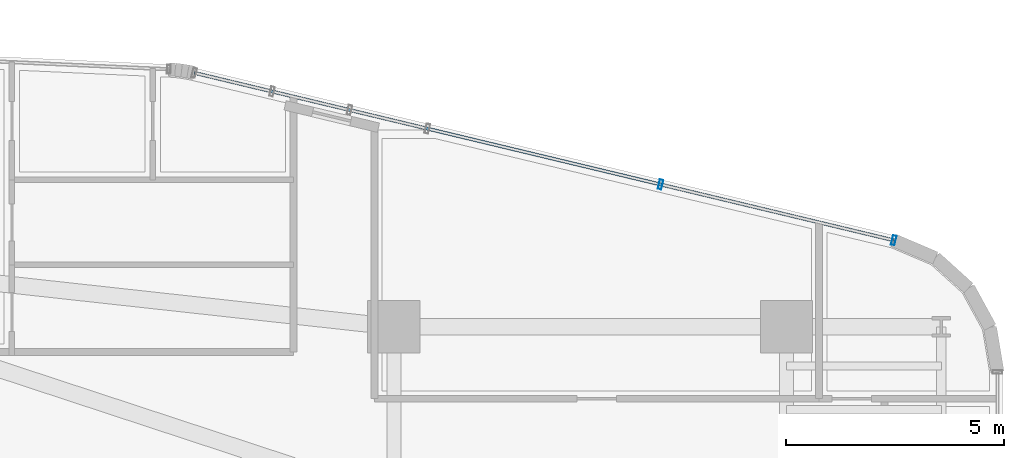
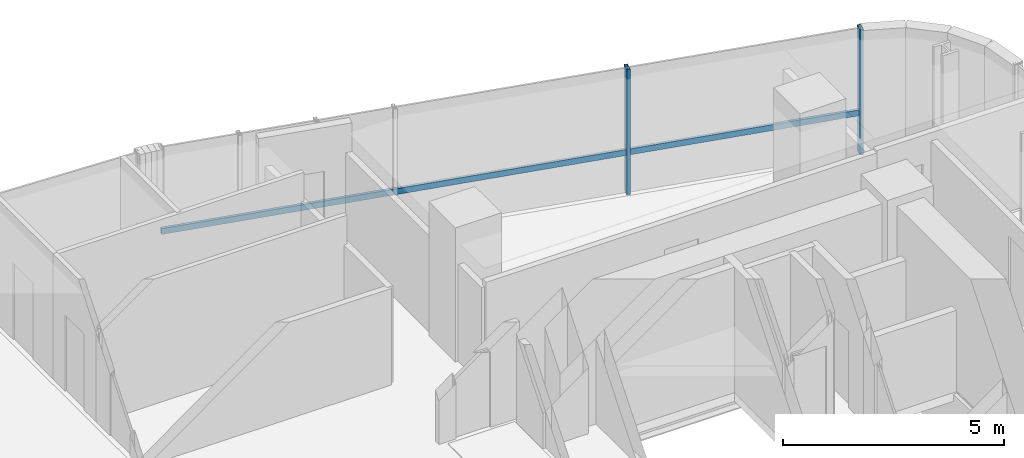
# One storey, part 23 of 36: 3 members, 1 element without a shape of its own.
"""IFC4 building model written with IfcOpenShell, lengths in metres."""

from ifc_helpers import new_model, si_unit, direction, frame, origin, origin_2d, place, context, subcontext, project, spatial, hollow_rectangle, extrude, source, transform, mapped, material, material_profile, profile_set, type_object, element, aggregate, save


model = new_model("IFC4")

# Units and contexts
model_context = context("Model", 3, precision=1e-05, world=origin(), true_north=direction((0.0, 1.0)))
body_context = subcontext(model_context, "Body", "Model", "MODEL_VIEW")
ifc_project = project(units=[si_unit("LENGTHUNIT", "METRE"), si_unit("AREAUNIT", "SQUARE_METRE"), si_unit("VOLUMEUNIT", "CUBIC_METRE"), si_unit("PLANEANGLEUNIT", "RADIAN"), si_unit("MASSUNIT", "GRAM", prefix="KILO")], contexts=[model_context])

# Site, building, storey
site_placement = place(None, origin())
site = spatial("IfcSite", under=ifc_project, at=site_placement, CompositionType="ELEMENT")
building_placement = place(site_placement, origin())
building = spatial("IfcBuilding", under=site, at=building_placement, Name="Valdorenza Pilgrim Sanctuary Tower", CompositionType="ELEMENT")
storey_placement = place(building_placement, frame((0.0, 0.0, 109.39990234375)))
storey = spatial("IfcBuildingStorey", under=building, at=storey_placement, Name="L27", CompositionType="ELEMENT", Elevation=109.39990234375)

# Curtain wall, members
ifc_material_1 = material(Name="Curtain-wall IGU glazing", Category="glass")
curtain_wall_type = type_object("IfcCurtainWallType", Name="CW-SYS-03", PredefinedType="NOTDEFINED", material=ifc_material_1)
curtain_wall_placement = place(storey_placement, origin())
curtain_wall = element("IfcCurtainWall", 1, at=curtain_wall_placement, inside=storey, type_object=curtain_wall_type, Name="L27 Curtain Wall CW-L27-1-16", PredefinedType="NOTDEFINED")
ifc_material_2 = material(Name="Anodised aluminium AW-6060", Category="aluminium")
ifc_material_profile_1 = material_profile(ifc_material_2, hollow_rectangle(XDim=0.0849609375, YDim=0.219970703125, WallThickness=0.0048828125, at=origin_2d()), Name="ALU-M 220x85x5")
ifc_profile_set_1 = profile_set([ifc_material_profile_1], Name="Anodised aluminium AW-6060")
member_type_1 = type_object("IfcMemberType", Name="CW-MUL-03", PredefinedType="MULLION", material=ifc_profile_set_1)
shared_shape_1 = source(origin(), body_context, "Body", "SweptSolid", [
    extrude(hollow_rectangle(XDim=0.0849609375, YDim=0.219970703125, WallThickness=0.0048828125, at=origin_2d()), origin(), (0.0, 0.0, 1.0), 3.460205078125),
])
member_1_placement = place(storey_placement, frame((21.964111328125, 16.7626953125, 0.0), z_axis=(0.0, 0.0, 1.0), x_axis=(0.972528596343, -0.232783438617, 0.0)))
member_1 = element("IfcMember", 2, at=member_1_placement, type_object=member_type_1, Name="CW-L27-1-16 Mullion 3", PredefinedType="MULLION", context=body_context, shape_type="MappedRepresentation", body=[
    mapped(shared_shape_1, transform((0.0, 0.0, 0.0), x_axis=(1.0, 0.0, 0.0), y_axis=(0.0, 1.0, 0.0), z_axis=(0.0, 0.0, 1.0), scale=1.0)),
])
member_2_placement = place(storey_placement, frame((27.310302734375, 15.48291015625, 0.0), z_axis=(0.0, 0.0, 1.0), x_axis=(0.972528596343, -0.232783438617, 0.0)))
member_2 = element("IfcMember", 3, at=member_2_placement, type_object=member_type_1, Name="CW-L27-1-16 Mullion 4", PredefinedType="MULLION", context=body_context, shape_type="MappedRepresentation", body=[
    mapped(shared_shape_1, transform((0.0, 0.0, 0.0), x_axis=(1.0, 0.0, 0.0), y_axis=(0.0, 1.0, 0.0), z_axis=(0.0, 0.0, 1.0), scale=1.0)),
])
ifc_material_profile_2 = material_profile(ifc_material_2, hollow_rectangle(XDim=0.074951171875, YDim=0.159912109375, WallThickness=0.00390625, at=origin_2d()), Name="ALU-T 160x75x4")
ifc_profile_set_2 = profile_set([ifc_material_profile_2], Name="Anodised aluminium AW-6060")
member_type_2 = type_object("IfcMemberType", Name="CW-TRN-03", PredefinedType="USERDEFINED", material=ifc_profile_set_2)
shared_shape_2 = source(origin(), body_context, "Body", "SweptSolid", [
    extrude(hollow_rectangle(XDim=0.074951171875, YDim=0.159912109375, WallThickness=0.00390625, at=origin_2d()), origin(), (0.0, 0.0, 1.0), 16.491943359375),
])
member_3_placement = place(storey_placement, frame((11.271484375, 19.322021484375, 1.1201171875), z_axis=(0.972527548122, -0.232787817859, 0.0), x_axis=(0.232787817859, 0.972527548122, 0.0)))
member_3 = element("IfcMember", 4, at=member_3_placement, type_object=member_type_2, Name="CW-L27-1-16 Transom 1", ObjectType="TRANSOM", PredefinedType="USERDEFINED", context=body_context, shape_type="MappedRepresentation", body=[
    mapped(shared_shape_2, transform((0.0, 0.0, 0.0), x_axis=(1.0, 0.0, 0.0), y_axis=(0.0, 1.0, 0.0), z_axis=(0.0, 0.0, 1.0), scale=1.0)),
])
aggregate(curtain_wall, [member_1, member_2, member_3])

save(model, "model.ifc")
